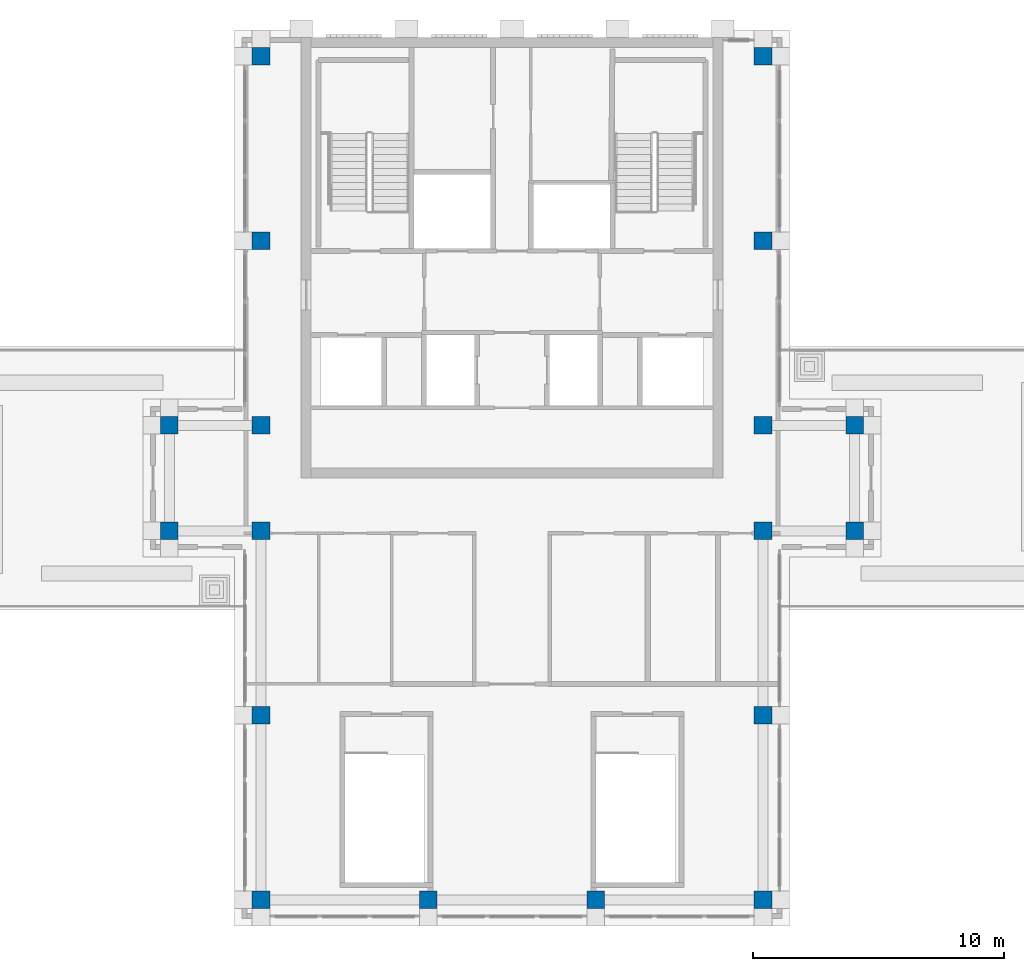
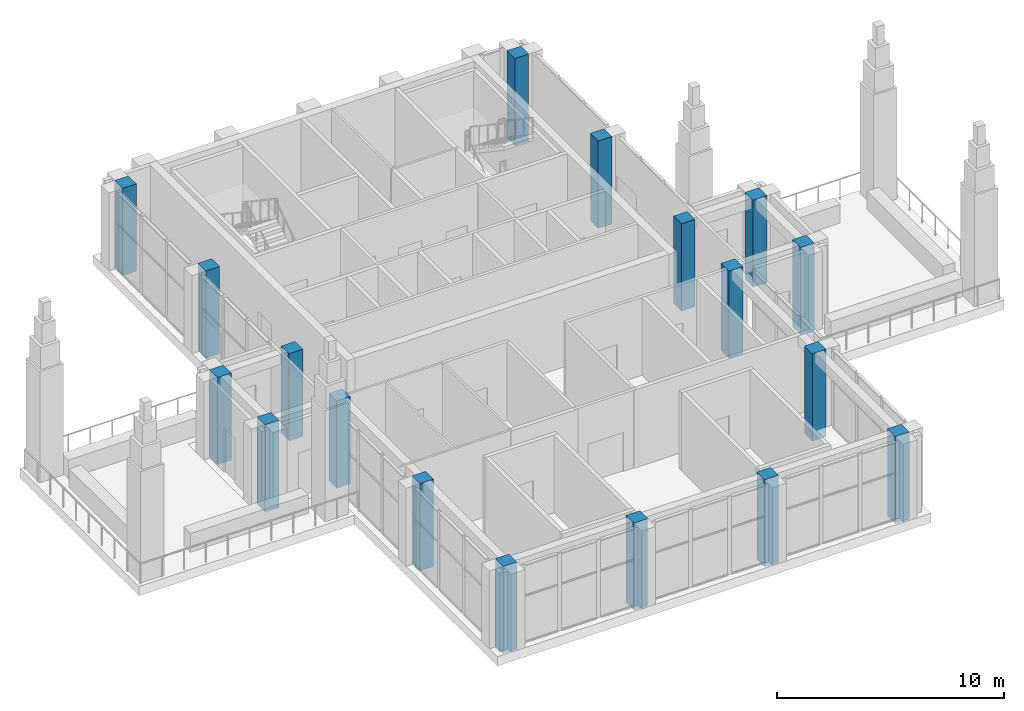
# One storey, part 1 of 12: 18 columns.
"""IFC4 building model written with IfcOpenShell, lengths in metres."""

from ifc_helpers import new_model, si_unit, direction, frame, origin, origin_2d, place, context, subcontext, project, spatial, rectangle, extrude, material, material_profile, profile_set, type_object, element, save


model = new_model("IFC4")

# Units and contexts
model_context = context("Model", 3, precision=1e-05, world=origin(), true_north=direction((0.0, 1.0)))
body_context = subcontext(model_context, "Body", "Model", "MODEL_VIEW")
ifc_project = project(units=[si_unit("LENGTHUNIT", "METRE"), si_unit("AREAUNIT", "SQUARE_METRE"), si_unit("VOLUMEUNIT", "CUBIC_METRE"), si_unit("PLANEANGLEUNIT", "RADIAN"), si_unit("MASSUNIT", "GRAM", prefix="KILO")], contexts=[model_context])

# Site, building, storey
site_placement = place(None, origin())
site = spatial("IfcSite", under=ifc_project, at=site_placement, CompositionType="ELEMENT")
building_placement = place(site_placement, origin())
building = spatial("IfcBuilding", under=site, at=building_placement, Name="Vermilion Ogive Tower", CompositionType="ELEMENT")
storey_placement = place(building_placement, frame((0.0, 0.0, 298.35009765625)))
storey = spatial("IfcBuildingStorey", under=building, at=storey_placement, Name="L77", CompositionType="ELEMENT", Elevation=298.35009765625)

# Columns
ifc_material = material(Name="Concrete B45", Category="concrete")
ifc_material_profile = material_profile(ifc_material, rectangle(XDim=0.699951171875, YDim=0.699951171875, at=origin_2d()), Name="700 x 700")
ifc_profile_set = profile_set([ifc_material_profile], Name="Concrete B45")
column_type = type_object("IfcColumnType", Name="Perimeter column 700 x 700 B45", PredefinedType="COLUMN", material=ifc_profile_set)
for number, where, z_axis, x_axis, name in (
    (1, (-10.0, -12.60009765625, -0.5), (0.0, 0.0, 1.0), (1.0, 0.0, 0.0), "COL-L77-P-0100-126"),
    (2, (-3.333251953125, -12.60009765625, -0.5), (0.0, 0.0, 1.0), (1.0, 0.0, 0.0), "COL-L77-P-0033-126"),
    (3, (3.333251953125, -12.60009765625, -0.5), (0.0, 0.0, 1.0), (1.0, 0.0, 0.0), "COL-L77-P+0033-126"),
    (4, (10.0, -12.60009765625, -0.5), (0.0, 0.0, 1.0), (1.0, 0.0, 0.0), "COL-L77-P+0100-126"),
    (5, (-10.0, -5.25, -0.5), (0.0, 0.0, 1.0), (1.0, 0.0, 0.0), "COL-L77-P-0100-052"),
    (6, (10.0, -5.25, -0.5), (0.0, 0.0, 1.0), (1.0, 0.0, 0.0), "COL-L77-P+0100-052"),
    (7, (-13.64990234375, 2.10009765625, -0.5), (0.0, 0.0, 1.0), (1.0, 0.0, 0.0), "COL-L77-P-0136+021"),
    (8, (-10.0, 2.10009765625, -0.5), (0.0, 0.0, 1.0), (1.0, 0.0, 0.0), "COL-L77-P-0100+021"),
    (9, (10.0, 2.10009765625, -0.5), (0.0, 0.0, 1.0), (1.0, 0.0, 0.0), "COL-L77-P+0100+021"),
    (10, (13.64990234375, 2.10009765625, -0.5), (0.0, 0.0, 1.0), (1.0, 0.0, 0.0), "COL-L77-P+0136+021"),
    (11, (-13.64990234375, 6.300048828125, -0.5), (0.0, 0.0, 1.0), (1.0, 0.0, 0.0), "COL-L77-P-0136+063"),
    (12, (-10.0, 6.300048828125, -0.5), (0.0, 0.0, 1.0), (1.0, 0.0, 0.0), "COL-L77-P-0100+063"),
    (13, (10.0, 6.300048828125, -0.5), (0.0, 0.0, 1.0), (1.0, 0.0, 0.0), "COL-L77-P+0100+063"),
    (14, (13.64990234375, 6.300048828125, -0.5), (0.0, 0.0, 1.0), (1.0, 0.0, 0.0), "COL-L77-P+0136+063"),
    (15, (-10.0, 13.64990234375, -0.5), (0.0, 0.0, 1.0), (1.0, 0.0, 0.0), "COL-L77-P-0100+136"),
    (16, (10.0, 13.64990234375, -0.5), (0.0, 0.0, 1.0), (1.0, 0.0, 0.0), "COL-L77-P+0100+136"),
    (17, (-10.0, 21.0, -0.5), (0.0, 0.0, 1.0), (1.0, 0.0, 0.0), "COL-L77-P-0100+210"),
    (18, (10.0, 21.0, -0.5), (0.0, 0.0, 1.0), (1.0, 0.0, 0.0), "COL-L77-P+0100+210"),
):
    element("IfcColumn", number, at=place(storey_placement, frame(where, z_axis=z_axis, x_axis=x_axis)), inside=storey, type_object=column_type, Name=name, PredefinedType="COLUMN", context=body_context, shape_type="SweptSolid", body=[
        extrude(rectangle(XDim=0.699951171875, YDim=0.699951171875, at=origin_2d()), origin(), (0.0, 0.0, 1.0), 4.699951171875),
    ])

save(model, "model.ifc")
